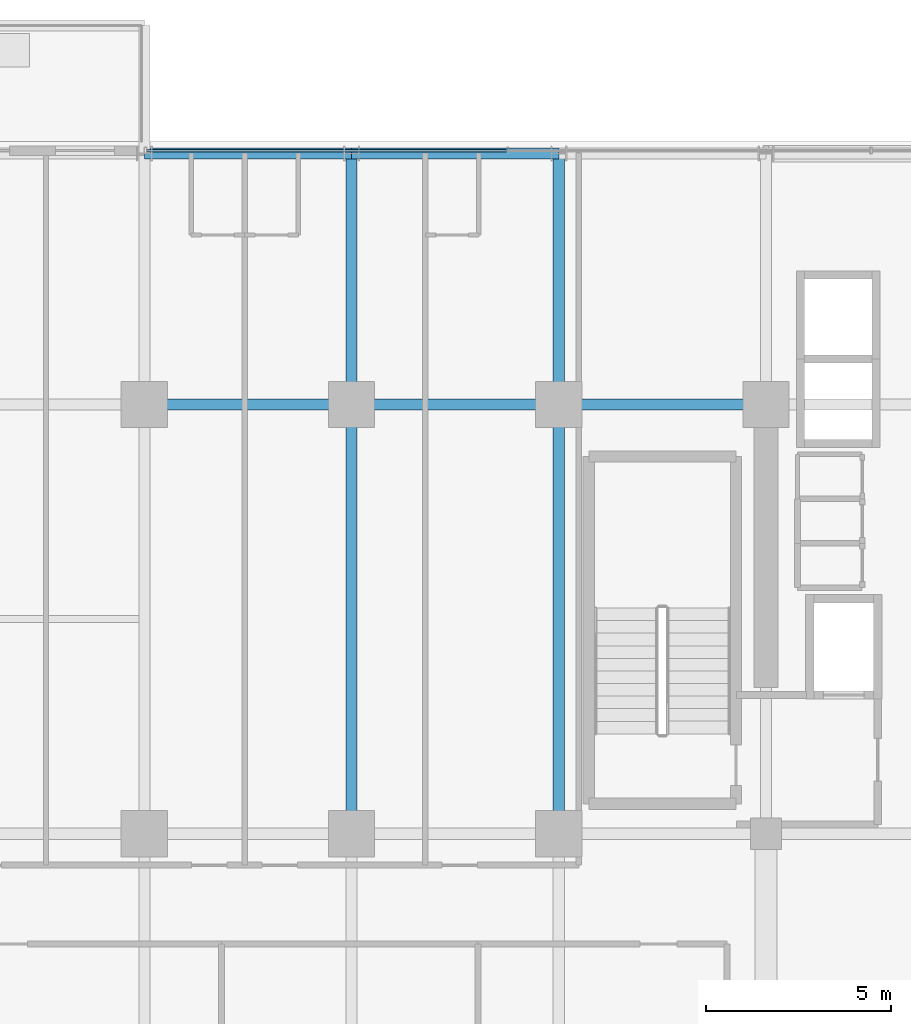
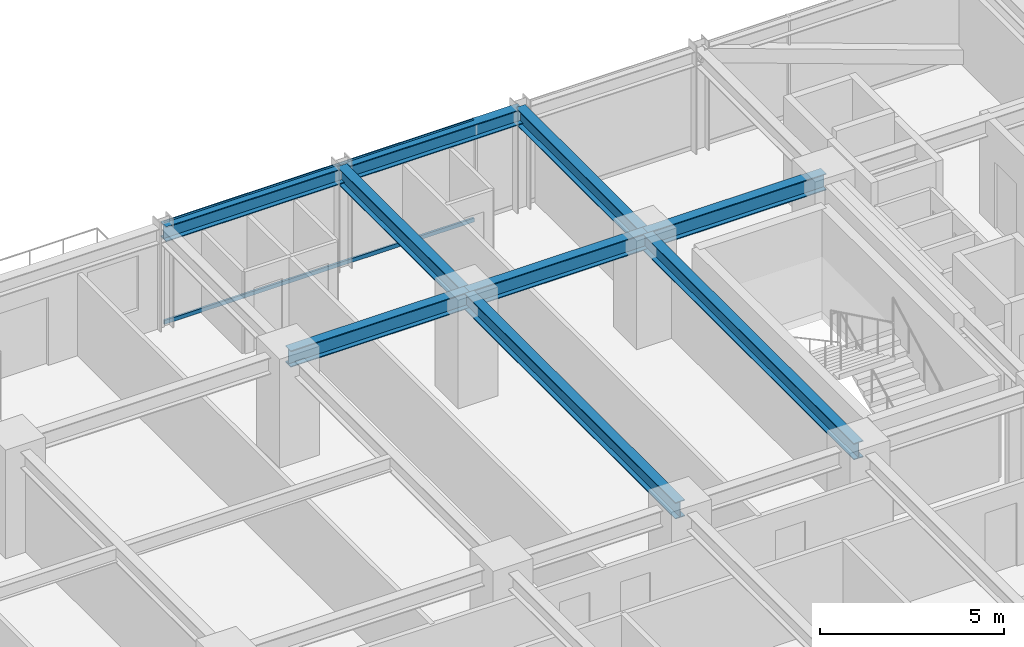
# One storey, part 20 of 34: 9 beams, 2 members, 1 element without a shape of its own.
"""IFC4 building model written with IfcOpenShell, lengths in metres."""

import ifcopenshell
import ifcopenshell.guid

model = None  # the IFC model being written
_history = None  # IfcOwnerHistory: only IFC2X3 demands one
_inside = {}  # id of a spatial element -> (the spatial element, [elements in it])
_under = {}  # id of a project, library or spatial element -> (it, [spatial elements below it])
_declared = {}  # id of a project -> (the project, [libraries it declares])
_typed = {}  # id of a type object -> (the type object, [elements of that type])
_made_of = {}  # id of a material, layer set ... -> (it, [elements and type objects made of it])


def new_model(schema):
    """Start an empty IFC model of exactly this schema.

    Asked for "IFC4X3", IfcOpenShell would pick the latest addendum, in which some entities
    have other attributes; the version numbers below select the first issue.
    IFC2X3 requires an IfcOwnerHistory on every rooted entity: one is made here for all.
    """
    global model, _history
    if schema == "IFC4X3":
        model = ifcopenshell.file(schema_version=(4, 3, 0, 0))
    else:
        model = ifcopenshell.file(schema=schema)
    _inside.clear()
    _under.clear()
    _declared.clear()
    _typed.clear()
    _made_of.clear()
    _history = None
    if model.schema == "IFC2X3":
        org = make("IfcOrganization", Name="unknown")
        user = make(
            "IfcPersonAndOrganization",
            ThePerson=make("IfcPerson", FamilyName="unknown"),
            TheOrganization=org,
        )
        app = make(
            "IfcApplication",
            ApplicationDeveloper=org,
            Version="unknown",
            ApplicationFullName="unknown",
            ApplicationIdentifier="unknown",
        )
        _history = make(
            "IfcOwnerHistory",
            OwningUser=user,
            OwningApplication=app,
            ChangeAction="ADDED",
            CreationDate=0,
        )
    return model


def make(cls, **values):
    """One entity of the class cls with the attributes given. An attribute that is None is left unset."""
    return model.create_entity(
        cls, **{name: value for name, value in values.items() if value is not None}
    )


def rooted(cls, **values):
    """An entity with a GlobalId (a new one), such as an element, a storey or a relation."""
    return make(cls, GlobalId=ifcopenshell.guid.new(), OwnerHistory=_history, **values)


def si_unit(unit_type, name, prefix=None):
    """IfcSIUnit, for example si_unit("LENGTHUNIT", "METRE", prefix="MILLI")."""
    return make("IfcSIUnit", UnitType=unit_type, Prefix=prefix, Name=name)


def assignment(units):
    """IfcUnitAssignment: the units of a project."""
    return None if units is None else make("IfcUnitAssignment", Units=units)


def point(xyz):
    """IfcCartesianPoint."""
    return None if xyz is None else make("IfcCartesianPoint", Coordinates=xyz)


def direction(xyz):
    """IfcDirection."""
    return None if xyz is None else make("IfcDirection", DirectionRatios=xyz)


def frame(location, z_axis=None, x_axis=None):
    """IfcAxis2Placement3D, a coordinate frame: its origin and axes. An axis left out is left unset."""
    return make(
        "IfcAxis2Placement3D",
        Location=point(location),
        Axis=direction(z_axis),
        RefDirection=direction(x_axis),
    )


def frame_2d(location, x_axis=None):
    """IfcAxis2Placement2D, a coordinate frame in the plane: its origin and x axis."""
    return make(
        "IfcAxis2Placement2D", Location=point(location), RefDirection=direction(x_axis)
    )


def origin():
    """The frame at (0, 0, 0) with its axes left unset."""
    return frame((0.0, 0.0, 0.0))


def origin_2d():
    """The frame at (0, 0) in the plane with its x axis left unset."""
    return frame_2d((0.0, 0.0))


def place(relative_to, where):
    """IfcLocalPlacement: puts the frame where relative to a parent placement (None: the world)."""
    return make(
        "IfcLocalPlacement", PlacementRelTo=relative_to, RelativePlacement=where
    )


def context(
    kind, dimensions, precision=None, world=None, true_north=None, identifier=None
):
    """IfcGeometricRepresentationContext, for example the 3D "Model" context."""
    return make(
        "IfcGeometricRepresentationContext",
        ContextIdentifier=identifier,
        ContextType=kind,
        CoordinateSpaceDimension=dimensions,
        Precision=precision,
        WorldCoordinateSystem=world,
        TrueNorth=true_north,
    )


def subcontext(parent, identifier, kind, view, scale=None):
    """IfcGeometricRepresentationSubContext, for example "Body" below "Model"."""
    return make(
        "IfcGeometricRepresentationSubContext",
        ContextIdentifier=identifier,
        ContextType=kind,
        ParentContext=parent,
        TargetScale=scale,
        TargetView=view,
    )


def project(units=None, contexts=None):
    """IfcProject with its units and contexts."""
    return rooted(
        "IfcProject",
        Name="project",
        RepresentationContexts=contexts,
        UnitsInContext=assignment(units),
    )


def spatial(cls, under=None, at=None, **own):
    """A site, building, storey or space (cls), placed at a placement, below another one or the project."""
    s = rooted(cls, ObjectPlacement=at, **own)
    if under is not None:
        _under.setdefault(under.id(), (under, []))[1].append(s)
    return s


def profile(cls, at=None, kind="AREA", **sizes):
    """A parametric profile (cls). Its sizes go by their IFC names, for example OverallWidth=200.0."""
    return make(cls, ProfileType=kind, Position=at, **sizes)


def hollow_rectangle(**sizes):
    """IfcRectangleHollowProfileDef."""
    return profile("IfcRectangleHollowProfileDef", **sizes)


def i_section(**sizes):
    """IfcIShapeProfileDef."""
    return profile("IfcIShapeProfileDef", **sizes)


def extrude(swept, where, along, depth):
    """IfcExtrudedAreaSolid: the profile swept, set in the frame where, extruded along a direction by depth."""
    return make(
        "IfcExtrudedAreaSolid",
        SweptArea=swept,
        Position=where,
        ExtrudedDirection=direction(along),
        Depth=depth,
    )


def shape(context_of_items, identifier, shape_type, items):
    """IfcShapeRepresentation: the items that make up one representation, for example the "Body"."""
    return make(
        "IfcShapeRepresentation",
        ContextOfItems=context_of_items,
        RepresentationIdentifier=identifier,
        RepresentationType=shape_type,
        Items=items,
    )


def source(mapping_origin, context_of_items, identifier, shape_type, items):
    """IfcRepresentationMap: a shape defined once, which mapped items show again and again."""
    return make(
        "IfcRepresentationMap",
        MappingOrigin=mapping_origin,
        MappedRepresentation=shape(context_of_items, identifier, shape_type, items),
    )


def transform(
    local_origin,
    x_axis=None,
    y_axis=None,
    z_axis=None,
    scale=None,
    scale2=None,
    scale3=None,
    uniform=True,
):
    """IfcCartesianTransformationOperator3D, or its non-uniform kind. x_axis, y_axis, z_axis: its Axis1, 2, 3."""
    if uniform:
        return make(
            "IfcCartesianTransformationOperator3D",
            Axis1=direction(x_axis),
            Axis2=direction(y_axis),
            LocalOrigin=point(local_origin),
            Scale=scale,
            Axis3=direction(z_axis),
        )
    return make(
        "IfcCartesianTransformationOperator3DnonUniform",
        Axis1=direction(x_axis),
        Axis2=direction(y_axis),
        LocalOrigin=point(local_origin),
        Scale=scale,
        Axis3=direction(z_axis),
        Scale2=scale2,
        Scale3=scale3,
    )


def mapped(mapping_source, mapping_target):
    """IfcMappedItem: shows the shape of a source again, moved by a transform."""
    return make(
        "IfcMappedItem", MappingSource=mapping_source, MappingTarget=mapping_target
    )


def material(Name=None, Category=None):
    """IfcMaterial."""
    return make("IfcMaterial", Name=Name, Category=Category)


def material_profile(
    of_material, cross_section, Name=None, Category=None, Priority=None
):
    """IfcMaterialProfile: a cross section and its material."""
    return make(
        "IfcMaterialProfile",
        Name=Name,
        Material=of_material,
        Profile=cross_section,
        Priority=Priority,
        Category=Category,
    )


def profile_set(profiles, Name=None, composite=None):
    """IfcMaterialProfileSet."""
    return make(
        "IfcMaterialProfileSet",
        Name=Name,
        MaterialProfiles=profiles,
        CompositeProfile=composite,
    )


def made_of(thing, what):
    """Note that an element or type object is made of a material, layer set ...; save() writes the relation."""
    if what is not None:
        _made_of.setdefault(what.id(), (what, []))[1].append(thing)
    return thing


def type_object(cls, material=None, **own):
    """A type object (cls), such as IfcWallType, which elements share."""
    return made_of(rooted(cls, **own), material)


def element(
    cls,
    number,
    at=None,
    inside=None,
    cuts=None,
    type_object=None,
    material=None,
    context=None,
    identifier="Body",
    shape_type=None,
    held_by="IfcProductDefinitionShape",
    body=None,
    shapes=None,
    **own,
):
    """One element of the class cls, such as IfcWall. Its Tag is "e" and its number.

    at: its placement. inside: the storey or other place that contains it. cuts: it is an
    opening in that element (IfcRelVoidsElement). A single representation is given by context,
    identifier, shape_type and body (its items); several are given by shapes. held_by: the class
    of the entity that holds the representations. save() writes the other relations.
    """
    e = rooted(cls, Tag="e%d" % number, ObjectPlacement=at, **own)
    if body is not None:
        shapes = [shape(context, identifier, shape_type, body)]
    if shapes is not None:
        e.Representation = make(held_by, Representations=shapes)
    if inside is not None:
        _inside.setdefault(inside.id(), (inside, []))[1].append(e)
    if cuts is not None:
        rooted(
            "IfcRelVoidsElement", RelatingBuildingElement=cuts, RelatedOpeningElement=e
        )
    if type_object is not None:
        _typed.setdefault(type_object.id(), (type_object, []))[1].append(e)
    return made_of(e, material)


def aggregate(whole, parts):
    """IfcRelAggregates: a whole, such as a stair, and the parts it consists of."""
    return rooted("IfcRelAggregates", RelatingObject=whole, RelatedObjects=parts)


def save(model, path):
    """Write the relations noted so far, then the file.

    IfcRelAggregates (storeys below a building ...), IfcRelContainedInSpatialStructure (elements
    in a storey), IfcRelDefinesByType, IfcRelAssociatesMaterial and IfcRelDeclares: one each for
    every whole, place, type object, material and project.
    """
    for whole, parts in _under.values():
        aggregate(whole, parts)
    for where, things in _inside.values():
        rooted(
            "IfcRelContainedInSpatialStructure",
            RelatedElements=things,
            RelatingStructure=where,
        )
    for kind, things in _typed.values():
        rooted("IfcRelDefinesByType", RelatedObjects=things, RelatingType=kind)
    for what, things in _made_of.values():
        rooted("IfcRelAssociatesMaterial", RelatedObjects=things, RelatingMaterial=what)
    for by, libraries in _declared.values():
        rooted("IfcRelDeclares", RelatingContext=by, RelatedDefinitions=libraries)
    model.write(path)


model = new_model("IFC4")

# Units and contexts
model_context = context("Model", 3, precision=1e-05, world=origin(), true_north=direction((0.0, 1.0)))
body_context = subcontext(model_context, "Body", "Model", "MODEL_VIEW")
ifc_project = project(units=[si_unit("LENGTHUNIT", "METRE"), si_unit("AREAUNIT", "SQUARE_METRE"), si_unit("VOLUMEUNIT", "CUBIC_METRE"), si_unit("PLANEANGLEUNIT", "RADIAN"), si_unit("MASSUNIT", "GRAM", prefix="KILO")], contexts=[model_context])

# Site, building, storey
site_placement = place(None, origin())
site = spatial("IfcSite", under=ifc_project, at=site_placement, CompositionType="ELEMENT")
building_placement = place(site_placement, origin())
building = spatial("IfcBuilding", under=site, at=building_placement, Name="Nahalor Promenade Grand Hotel", CompositionType="ELEMENT")
storey_placement = place(building_placement, frame((0.0, 0.0, 99.25)))
storey = spatial("IfcBuildingStorey", under=building, at=storey_placement, Name="L24", CompositionType="ELEMENT", Elevation=99.25)

# Beams
ifc_material_1 = material(Name="Steel S355JR", Category="steel")
ifc_material_profile_1 = material_profile(ifc_material_1, i_section(OverallWidth=0.3, OverallDepth=0.5, WebThickness=0.0145, FlangeThickness=0.028, at=origin_2d()), Name="HEB 500")
ifc_profile_set_1 = profile_set([ifc_material_profile_1], Name="Steel S355JR")
beam_type_1 = type_object("IfcBeamType", Name="Beam-Spandrel-HEB500", PredefinedType="SPANDREL", material=ifc_profile_set_1)
shared_shape_1 = source(origin(), body_context, "Body", "SweptSolid", [
    extrude(i_section(OverallWidth=0.3, OverallDepth=0.5, WebThickness=0.0145, FlangeThickness=0.028, at=origin_2d()), origin(), (0.0, 0.0, 1.0), 5.599853515625),
])
beam_1_placement = place(storey_placement, frame((-8.39990234375, 23.780029296875, 3.1298828125), z_axis=(1.0, 0.0, 0.0), x_axis=(0.0, 1.0, 0.0)))
element("IfcBeam", 1, at=beam_1_placement, inside=storey, type_object=beam_type_1, Name="BM-L24-SP-N-1", PredefinedType="SPANDREL", context=body_context, shape_type="MappedRepresentation", body=[
    mapped(shared_shape_1, transform((0.0, 0.0, 0.0), scale=1.0)),
])
shared_shape_2 = source(origin(), body_context, "Body", "SweptSolid", [
    extrude(i_section(OverallWidth=0.3, OverallDepth=0.5, WebThickness=0.0145, FlangeThickness=0.028, at=origin_2d()), origin(), (0.0, 0.0, 1.0), 5.60009765625),
])
beam_2_placement = place(storey_placement, frame((-2.800048828125, 23.780029296875, 3.1298828125), z_axis=(1.0, 0.0, 0.0), x_axis=(0.0, 1.0, 0.0)))
element("IfcBeam", 2, at=beam_2_placement, inside=storey, type_object=beam_type_1, Name="BM-L24-SP-N-2", PredefinedType="SPANDREL", context=body_context, shape_type="MappedRepresentation", body=[
    mapped(shared_shape_2, transform((0.0, 0.0, 0.0), scale=1.0)),
])
ifc_material_profile_2 = material_profile(ifc_material_1, i_section(OverallWidth=0.3, OverallDepth=0.55, WebThickness=0.015, FlangeThickness=0.029, at=origin_2d()), Name="HEB 550")
ifc_profile_set_2 = profile_set([ifc_material_profile_2], Name="Steel S355JR")
beam_type_2 = type_object("IfcBeamType", Name="Beam-Girder-HEB550", PredefinedType="BEAM", material=ifc_profile_set_2)
shared_shape_3 = source(origin(), body_context, "Body", "SweptSolid", [
    extrude(i_section(OverallWidth=0.3, OverallDepth=0.55, WebThickness=0.015, FlangeThickness=0.029, at=origin_2d()), origin(), (0.0, 0.0, 1.0), 6.780029296875),
])
for number, where, z_axis, x_axis, name in (
    (3, (-2.800048828125, 17.0, 3.10498046875), (0.0, 1.0, 0.0), (-1.0, 0.0, 0.0), "BM-L24-GY-2-4"),
    (4, (2.800048828125, 17.0, 3.10498046875), (0.0, 1.0, 0.0), (-1.0, 0.0, 0.0), "BM-L24-GY-3-4"),
):
    element("IfcBeam", number, at=place(storey_placement, frame(where, z_axis=z_axis, x_axis=x_axis)), inside=storey, type_object=beam_type_2, Name=name, PredefinedType="BEAM", context=body_context, shape_type="MappedRepresentation", body=[
        mapped(shared_shape_3, transform((0.0, 0.0, 0.0), scale=1.0)),
    ])
shared_shape_4 = source(origin(), body_context, "Body", "SweptSolid", [
    extrude(i_section(OverallWidth=0.3, OverallDepth=0.55, WebThickness=0.015, FlangeThickness=0.029, at=origin_2d()), origin(), (0.0, 0.0, 1.0), 5.599853515625),
])
for number, where, z_axis, x_axis, name in (
    (5, (-8.39990234375, 17.0, 3.10498046875), (1.0, 0.0, 0.0), (0.0, 1.0, 0.0), "BM-L24-GX-3-2"),
    (6, (2.800048828125, 17.0, 3.10498046875), (1.0, 0.0, 0.0), (0.0, 1.0, 0.0), "BM-L24-GX-3-4"),
):
    element("IfcBeam", number, at=place(storey_placement, frame(where, z_axis=z_axis, x_axis=x_axis)), inside=storey, type_object=beam_type_2, Name=name, PredefinedType="BEAM", context=body_context, shape_type="MappedRepresentation", body=[
        mapped(shared_shape_4, transform((0.0, 0.0, 0.0), scale=1.0)),
    ])
shared_shape_5 = source(origin(), body_context, "Body", "SweptSolid", [
    extrude(i_section(OverallWidth=0.3, OverallDepth=0.55, WebThickness=0.015, FlangeThickness=0.029, at=origin_2d()), origin(), (0.0, 0.0, 1.0), 5.60009765625),
])
beam_3_placement = place(storey_placement, frame((-2.800048828125, 17.0, 3.10498046875), z_axis=(1.0, 0.0, 0.0), x_axis=(0.0, 1.0, 0.0)))
element("IfcBeam", 7, at=beam_3_placement, inside=storey, type_object=beam_type_2, Name="BM-L24-GX-3-3", PredefinedType="BEAM", context=body_context, shape_type="MappedRepresentation", body=[
    mapped(shared_shape_5, transform((0.0, 0.0, 0.0), scale=1.0)),
])
shared_shape_6 = source(origin(), body_context, "Body", "SweptSolid", [
    extrude(i_section(OverallWidth=0.3, OverallDepth=0.55, WebThickness=0.015, FlangeThickness=0.029, at=origin_2d()), origin(), (0.0, 0.0, 1.0), 11.60009765625),
])
for number, where, z_axis, x_axis, name in (
    (8, (-2.800048828125, 5.39990234375, 3.10498046875), (0.0, 1.0, 0.0), (-1.0, 0.0, 0.0), "BM-L24-GY-2-3"),
    (9, (2.800048828125, 5.39990234375, 3.10498046875), (0.0, 1.0, 0.0), (-1.0, 0.0, 0.0), "BM-L24-GY-3-3"),
):
    element("IfcBeam", number, at=place(storey_placement, frame(where, z_axis=z_axis, x_axis=x_axis)), inside=storey, type_object=beam_type_2, Name=name, PredefinedType="BEAM", context=body_context, shape_type="MappedRepresentation", body=[
        mapped(shared_shape_6, transform((0.0, 0.0, 0.0), scale=1.0)),
    ])

# Curtain wall, members
ifc_material_2 = material(Name="Anodised Bronze Aluminium EN AW-6063 T6", Category="aluminium")
curtain_wall_type = type_object("IfcCurtainWallType", Name="CW2 Typical Hotel Flush Bronze Unitised Curtain Wall", PredefinedType="USERDEFINED", material=ifc_material_2)
curtain_wall_placement = place(storey_placement, origin())
curtain_wall = element("IfcCurtainWall", 10, at=curtain_wall_placement, inside=storey, type_object=curtain_wall_type, Name="L24 Curtain Wall CW-L24-N-3", ObjectType="UNITISED_CURTAIN_WALL", PredefinedType="USERDEFINED")
ifc_material_profile_3 = material_profile(ifc_material_2, hollow_rectangle(XDim=0.065, YDim=0.13, WallThickness=0.004, at=origin_2d()), Name="CWT 65x130x4")
ifc_profile_set_3 = profile_set([ifc_material_profile_3], Name="Anodised Bronze Aluminium EN AW-6063 T6")
member_type = type_object("IfcMemberType", Name="CWT2 Typical Bronze Transom 65x130", PredefinedType="USERDEFINED", material=ifc_profile_set_3)
shared_shape_7 = source(origin(), body_context, "Body", "SweptSolid", [
    extrude(hollow_rectangle(XDim=0.065, YDim=0.13, WallThickness=0.004, at=origin_2d()), origin(), (0.0, 0.0, 1.0), 9.722412109375),
])
member_1_placement = place(storey_placement, frame((-8.3349609375, 23.860107421875, 0.06494140625), z_axis=(1.0, 0.0, 0.0), x_axis=(0.0, 1.0, 0.0)))
member_1 = element("IfcMember", 11, at=member_1_placement, type_object=member_type, Name="CW-L24-N-3 Transom 0-0", ObjectType="TRANSOM", PredefinedType="USERDEFINED", context=body_context, shape_type="MappedRepresentation", body=[
    mapped(shared_shape_7, transform((0.0, 0.0, 0.0), scale=1.0)),
])
member_2_placement = place(storey_placement, frame((-8.3349609375, 23.860107421875, 3.31494140625), z_axis=(1.0, 0.0, 0.0), x_axis=(0.0, 1.0, 0.0)))
member_2 = element("IfcMember", 12, at=member_2_placement, type_object=member_type, Name="CW-L24-N-3 Transom 0-1", ObjectType="TRANSOM", PredefinedType="USERDEFINED", context=body_context, shape_type="MappedRepresentation", body=[
    mapped(shared_shape_7, transform((0.0, 0.0, 0.0), scale=1.0)),
])
aggregate(curtain_wall, [member_1, member_2])

save(model, "model.ifc")
